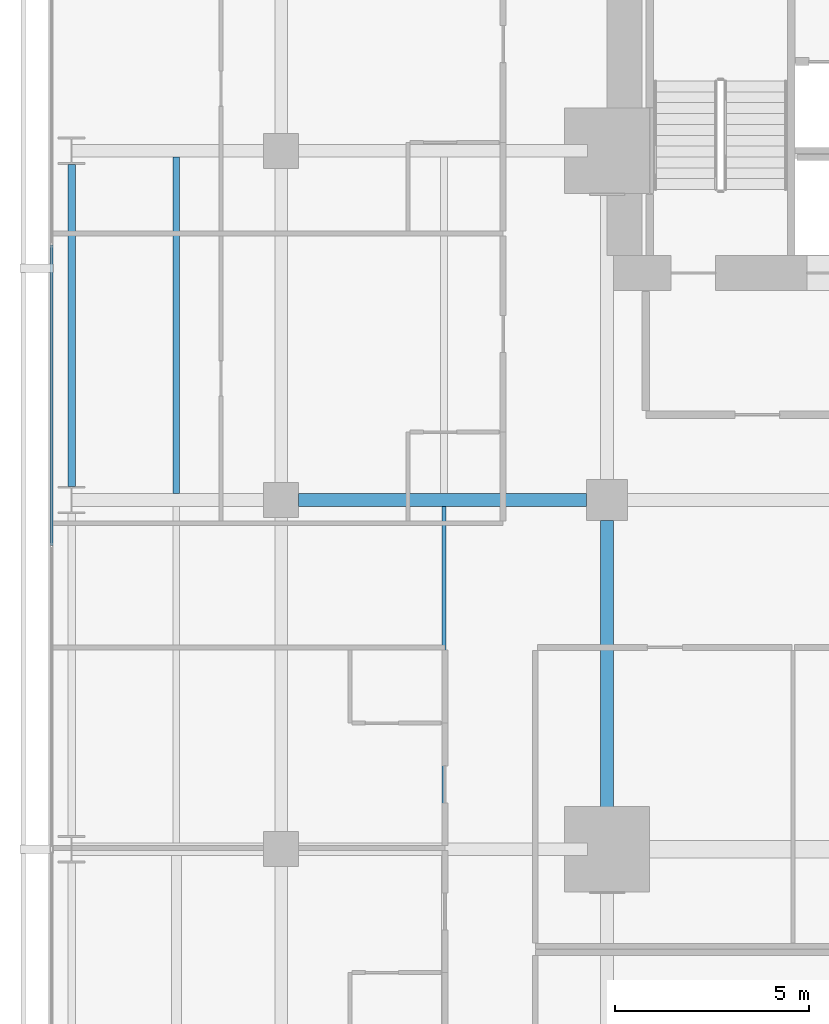
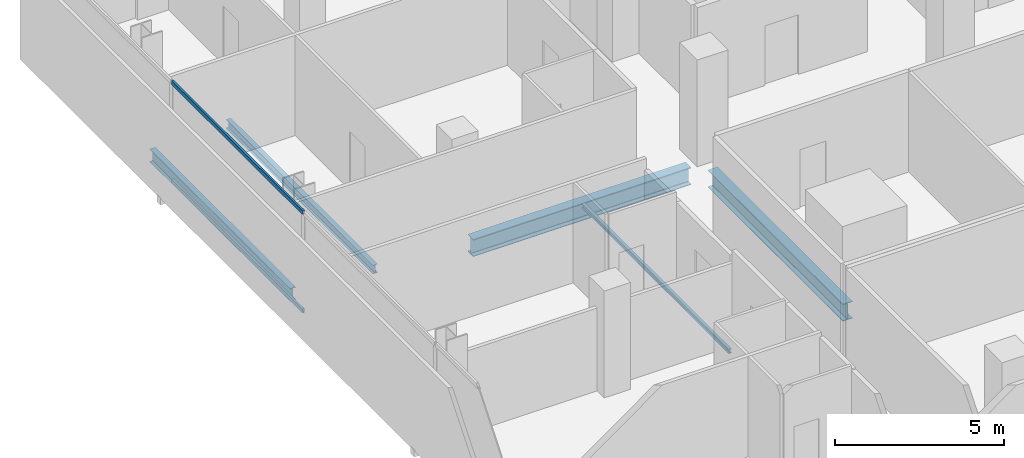
# One storey, part 22 of 40: 5 beams, 2 members, 1 element without a shape of its own.
"""IFC4 building model written with IfcOpenShell, lengths in metres."""

import ifcopenshell
import ifcopenshell.guid

model = None  # the IFC model being written
_history = None  # IfcOwnerHistory: only IFC2X3 demands one
_inside = {}  # id of a spatial element -> (the spatial element, [elements in it])
_under = {}  # id of a project, library or spatial element -> (it, [spatial elements below it])
_declared = {}  # id of a project -> (the project, [libraries it declares])
_typed = {}  # id of a type object -> (the type object, [elements of that type])
_made_of = {}  # id of a material, layer set ... -> (it, [elements and type objects made of it])


def new_model(schema):
    """Start an empty IFC model of exactly this schema.

    Asked for "IFC4X3", IfcOpenShell would pick the latest addendum, in which some entities
    have other attributes; the version numbers below select the first issue.
    IFC2X3 requires an IfcOwnerHistory on every rooted entity: one is made here for all.
    """
    global model, _history
    if schema == "IFC4X3":
        model = ifcopenshell.file(schema_version=(4, 3, 0, 0))
    else:
        model = ifcopenshell.file(schema=schema)
    _inside.clear()
    _under.clear()
    _declared.clear()
    _typed.clear()
    _made_of.clear()
    _history = None
    if model.schema == "IFC2X3":
        org = make("IfcOrganization", Name="unknown")
        user = make(
            "IfcPersonAndOrganization",
            ThePerson=make("IfcPerson", FamilyName="unknown"),
            TheOrganization=org,
        )
        app = make(
            "IfcApplication",
            ApplicationDeveloper=org,
            Version="unknown",
            ApplicationFullName="unknown",
            ApplicationIdentifier="unknown",
        )
        _history = make(
            "IfcOwnerHistory",
            OwningUser=user,
            OwningApplication=app,
            ChangeAction="ADDED",
            CreationDate=0,
        )
    return model


def make(cls, **values):
    """One entity of the class cls with the attributes given. An attribute that is None is left unset."""
    return model.create_entity(
        cls, **{name: value for name, value in values.items() if value is not None}
    )


def rooted(cls, **values):
    """An entity with a GlobalId (a new one), such as an element, a storey or a relation."""
    return make(cls, GlobalId=ifcopenshell.guid.new(), OwnerHistory=_history, **values)


def si_unit(unit_type, name, prefix=None):
    """IfcSIUnit, for example si_unit("LENGTHUNIT", "METRE", prefix="MILLI")."""
    return make("IfcSIUnit", UnitType=unit_type, Prefix=prefix, Name=name)


def assignment(units):
    """IfcUnitAssignment: the units of a project."""
    return None if units is None else make("IfcUnitAssignment", Units=units)


def point(xyz):
    """IfcCartesianPoint."""
    return None if xyz is None else make("IfcCartesianPoint", Coordinates=xyz)


def direction(xyz):
    """IfcDirection."""
    return None if xyz is None else make("IfcDirection", DirectionRatios=xyz)


def frame(location, z_axis=None, x_axis=None):
    """IfcAxis2Placement3D, a coordinate frame: its origin and axes. An axis left out is left unset."""
    return make(
        "IfcAxis2Placement3D",
        Location=point(location),
        Axis=direction(z_axis),
        RefDirection=direction(x_axis),
    )


def frame_2d(location, x_axis=None):
    """IfcAxis2Placement2D, a coordinate frame in the plane: its origin and x axis."""
    return make(
        "IfcAxis2Placement2D", Location=point(location), RefDirection=direction(x_axis)
    )


def origin():
    """The frame at (0, 0, 0) with its axes left unset."""
    return frame((0.0, 0.0, 0.0))


def origin_2d():
    """The frame at (0, 0) in the plane with its x axis left unset."""
    return frame_2d((0.0, 0.0))


def place(relative_to, where):
    """IfcLocalPlacement: puts the frame where relative to a parent placement (None: the world)."""
    return make(
        "IfcLocalPlacement", PlacementRelTo=relative_to, RelativePlacement=where
    )


def context(
    kind, dimensions, precision=None, world=None, true_north=None, identifier=None
):
    """IfcGeometricRepresentationContext, for example the 3D "Model" context."""
    return make(
        "IfcGeometricRepresentationContext",
        ContextIdentifier=identifier,
        ContextType=kind,
        CoordinateSpaceDimension=dimensions,
        Precision=precision,
        WorldCoordinateSystem=world,
        TrueNorth=true_north,
    )


def subcontext(parent, identifier, kind, view, scale=None):
    """IfcGeometricRepresentationSubContext, for example "Body" below "Model"."""
    return make(
        "IfcGeometricRepresentationSubContext",
        ContextIdentifier=identifier,
        ContextType=kind,
        ParentContext=parent,
        TargetScale=scale,
        TargetView=view,
    )


def project(units=None, contexts=None):
    """IfcProject with its units and contexts."""
    return rooted(
        "IfcProject",
        Name="project",
        RepresentationContexts=contexts,
        UnitsInContext=assignment(units),
    )


def spatial(cls, under=None, at=None, **own):
    """A site, building, storey or space (cls), placed at a placement, below another one or the project."""
    s = rooted(cls, ObjectPlacement=at, **own)
    if under is not None:
        _under.setdefault(under.id(), (under, []))[1].append(s)
    return s


def profile(cls, at=None, kind="AREA", **sizes):
    """A parametric profile (cls). Its sizes go by their IFC names, for example OverallWidth=200.0."""
    return make(cls, ProfileType=kind, Position=at, **sizes)


def hollow_rectangle(**sizes):
    """IfcRectangleHollowProfileDef."""
    return profile("IfcRectangleHollowProfileDef", **sizes)


def i_section(**sizes):
    """IfcIShapeProfileDef."""
    return profile("IfcIShapeProfileDef", **sizes)


def extrude(swept, where, along, depth):
    """IfcExtrudedAreaSolid: the profile swept, set in the frame where, extruded along a direction by depth."""
    return make(
        "IfcExtrudedAreaSolid",
        SweptArea=swept,
        Position=where,
        ExtrudedDirection=direction(along),
        Depth=depth,
    )


def shape(context_of_items, identifier, shape_type, items):
    """IfcShapeRepresentation: the items that make up one representation, for example the "Body"."""
    return make(
        "IfcShapeRepresentation",
        ContextOfItems=context_of_items,
        RepresentationIdentifier=identifier,
        RepresentationType=shape_type,
        Items=items,
    )


def material(Name=None, Category=None):
    """IfcMaterial."""
    return make("IfcMaterial", Name=Name, Category=Category)


def layer(
    of_material, thickness, ventilated=None, Name=None, Category=None, Priority=None
):
    """IfcMaterialLayer: one layer of a wall or slab, of a material (None: an air gap)."""
    return make(
        "IfcMaterialLayer",
        Material=of_material,
        LayerThickness=thickness,
        IsVentilated=ventilated,
        Name=Name,
        Category=Category,
        Priority=Priority,
    )


def layer_set(layers, Name=None):
    """IfcMaterialLayerSet."""
    return make("IfcMaterialLayerSet", MaterialLayers=layers, LayerSetName=Name)


def material_profile(
    of_material, cross_section, Name=None, Category=None, Priority=None
):
    """IfcMaterialProfile: a cross section and its material."""
    return make(
        "IfcMaterialProfile",
        Name=Name,
        Material=of_material,
        Profile=cross_section,
        Priority=Priority,
        Category=Category,
    )


def profile_set(profiles, Name=None, composite=None):
    """IfcMaterialProfileSet."""
    return make(
        "IfcMaterialProfileSet",
        Name=Name,
        MaterialProfiles=profiles,
        CompositeProfile=composite,
    )


def made_of(thing, what):
    """Note that an element or type object is made of a material, layer set ...; save() writes the relation."""
    if what is not None:
        _made_of.setdefault(what.id(), (what, []))[1].append(thing)
    return thing


def type_object(cls, material=None, **own):
    """A type object (cls), such as IfcWallType, which elements share."""
    return made_of(rooted(cls, **own), material)


def element(
    cls,
    number,
    at=None,
    inside=None,
    cuts=None,
    type_object=None,
    material=None,
    context=None,
    identifier="Body",
    shape_type=None,
    held_by="IfcProductDefinitionShape",
    body=None,
    shapes=None,
    **own,
):
    """One element of the class cls, such as IfcWall. Its Tag is "e" and its number.

    at: its placement. inside: the storey or other place that contains it. cuts: it is an
    opening in that element (IfcRelVoidsElement). A single representation is given by context,
    identifier, shape_type and body (its items); several are given by shapes. held_by: the class
    of the entity that holds the representations. save() writes the other relations.
    """
    e = rooted(cls, Tag="e%d" % number, ObjectPlacement=at, **own)
    if body is not None:
        shapes = [shape(context, identifier, shape_type, body)]
    if shapes is not None:
        e.Representation = make(held_by, Representations=shapes)
    if inside is not None:
        _inside.setdefault(inside.id(), (inside, []))[1].append(e)
    if cuts is not None:
        rooted(
            "IfcRelVoidsElement", RelatingBuildingElement=cuts, RelatedOpeningElement=e
        )
    if type_object is not None:
        _typed.setdefault(type_object.id(), (type_object, []))[1].append(e)
    return made_of(e, material)


def aggregate(whole, parts):
    """IfcRelAggregates: a whole, such as a stair, and the parts it consists of."""
    return rooted("IfcRelAggregates", RelatingObject=whole, RelatedObjects=parts)


def save(model, path):
    """Write the relations noted so far, then the file.

    IfcRelAggregates (storeys below a building ...), IfcRelContainedInSpatialStructure (elements
    in a storey), IfcRelDefinesByType, IfcRelAssociatesMaterial and IfcRelDeclares: one each for
    every whole, place, type object, material and project.
    """
    for whole, parts in _under.values():
        aggregate(whole, parts)
    for where, things in _inside.values():
        rooted(
            "IfcRelContainedInSpatialStructure",
            RelatedElements=things,
            RelatingStructure=where,
        )
    for kind, things in _typed.values():
        rooted("IfcRelDefinesByType", RelatedObjects=things, RelatingType=kind)
    for what, things in _made_of.values():
        rooted("IfcRelAssociatesMaterial", RelatedObjects=things, RelatingMaterial=what)
    for by, libraries in _declared.values():
        rooted("IfcRelDeclares", RelatingContext=by, RelatedDefinitions=libraries)
    model.write(path)


model = new_model("IFC4")

# Units and contexts
model_context = context("Model", 3, precision=1e-05, world=origin(), true_north=direction((0.0, 1.0)))
body_context = subcontext(model_context, "Body", "Model", "MODEL_VIEW")
ifc_project = project(units=[si_unit("LENGTHUNIT", "METRE"), si_unit("AREAUNIT", "SQUARE_METRE"), si_unit("VOLUMEUNIT", "CUBIC_METRE"), si_unit("PLANEANGLEUNIT", "RADIAN"), si_unit("MASSUNIT", "GRAM", prefix="KILO")], contexts=[model_context])

# Site, building, storey
site_placement = place(None, origin())
site = spatial("IfcSite", under=ifc_project, at=site_placement, CompositionType="ELEMENT")
building_placement = place(site_placement, origin())
building = spatial("IfcBuilding", under=site, at=building_placement, Name="Maruvema Waterfront Hotel and Observation Tower", CompositionType="ELEMENT")
storey_placement = place(building_placement, frame((0.0, 0.0, 50.050048828125)))
storey = spatial("IfcBuildingStorey", under=building, at=storey_placement, Name="L11", CompositionType="ELEMENT", Elevation=50.050048828125)

# Curtain wall, members
ifc_material_1 = material(Name="Anodised bronze aluminium and solar-control low-E IGU", Category="aluminium")
ifc_layer = layer(ifc_material_1, 0.159912109375, Name="Zone 1 Bronze Inner Thermal Curtain Wall System CW-02")
ifc_layer_set = layer_set([ifc_layer], Name="Anodised bronze aluminium and solar-control low-E IGU")
curtain_wall_type = type_object("IfcCurtainWallType", Name="Zone 1 Bronze Inner Thermal Curtain Wall System CW-02", PredefinedType="USERDEFINED", material=ifc_layer_set)
curtain_wall_placement = place(storey_placement, origin())
curtain_wall = element("IfcCurtainWall", 1, at=curtain_wall_placement, inside=storey, type_object=curtain_wall_type, Name="L11 Curtain Wall CW-L11-W", ObjectType="UNITISED CURTAIN WALL", PredefinedType="USERDEFINED")
ifc_material_2 = material(Name="Anodised architectural bronze aluminium", Category="aluminium")
ifc_material_profile_1 = material_profile(ifc_material_2, hollow_rectangle(XDim=0.070068359375, YDim=0.14990234375, WallThickness=0.00390625, at=origin_2d()), Name="ALU-T70x150")
ifc_profile_set_1 = profile_set([ifc_material_profile_1], Name="Anodised architectural bronze aluminium")
member_type = type_object("IfcMemberType", Name="Curtain Wall Horizontal Transom ALU-T70x150", PredefinedType="USERDEFINED", material=ifc_profile_set_1)
member_1_placement = place(storey_placement, frame((10.8798828125, 42.570068359375, 0.030029296875), z_axis=(0.0, -1.0, 0.0), x_axis=(1.0, 0.0, 0.0)))
member_1 = element("IfcMember", 2, at=member_1_placement, type_object=member_type, Name="CW-02 transom 2.1", ObjectType="TRANSOM", PredefinedType="USERDEFINED", context=body_context, shape_type="SweptSolid", body=[
    extrude(hollow_rectangle(XDim=0.070068359375, YDim=0.14990234375, WallThickness=0.00390625, at=origin_2d()), origin(), (0.0, 0.0, 1.0), 7.739990234375),
])
member_2_placement = place(storey_placement, frame((10.8798828125, 42.570068359375, 3.579833984375), z_axis=(0.0, -1.0, 0.0), x_axis=(1.0, 0.0, 0.0)))
member_2 = element("IfcMember", 3, at=member_2_placement, type_object=member_type, Name="CW-02 transom 2.2", ObjectType="TRANSOM", PredefinedType="USERDEFINED", context=body_context, shape_type="SweptSolid", body=[
    extrude(hollow_rectangle(XDim=0.070068359375, YDim=0.14990234375, WallThickness=0.00390625, at=origin_2d()), origin(), (0.0, 0.0, 1.0), 7.739990234375),
])
aggregate(curtain_wall, [member_1, member_2])

# Beams
ifc_material_3 = material(Name="Steel ASTM A572 Grade 50", Category="steel")
ifc_material_profile_2 = material_profile(ifc_material_3, i_section(OverallWidth=0.18994140625, OverallDepth=0.45703125, WebThickness=0.009033203125, FlangeThickness=0.014404296875, FilletRadius=0.014892578125, at=origin_2d()), Name="W460x74.0")
ifc_profile_set_2 = profile_set([ifc_material_profile_2], Name="Steel ASTM A572 Grade 50")
beam_type_1 = type_object("IfcBeamType", Name="Perimeter Spandrel Beam W460x74.0", PredefinedType="SPANDREL", material=ifc_profile_set_2)
beam_1_placement = place(storey_placement, frame((11.39990234375, 36.35009765625, -0.468505859375), z_axis=(0.0, 1.0, 0.0), x_axis=(-1.0, 0.0, 0.0)))
element("IfcBeam", 4, at=beam_1_placement, inside=storey, type_object=beam_type_1, Name="L11 Floor Girder NS-04", PredefinedType="SPANDREL", context=body_context, shape_type="SweptSolid", body=[
    extrude(i_section(OverallWidth=0.18994140625, OverallDepth=0.45703125, WebThickness=0.009033203125, FlangeThickness=0.014404296875, FilletRadius=0.014892578125, at=origin_2d()), origin(), (0.0, 0.0, 1.0), 8.2998046875),
])
ifc_material_4 = material(Name="Steel ASTM A572 Grade 50", Category="steel")
ifc_material_profile_3 = material_profile(ifc_material_4, i_section(OverallWidth=0.326904296875, OverallDepth=0.6220703125, WebThickness=0.015380859375, FlangeThickness=0.0244140625, FilletRadius=0.01806640625, at=origin_2d()), Name="W610x195.0")
ifc_profile_set_3 = profile_set([ifc_material_profile_3], Name="Steel ASTM A572 Grade 50")
beam_type_2 = type_object("IfcBeamType", Name="Primary Floor Girder W610x195.0", PredefinedType="BEAM", material=ifc_profile_set_3)
beam_2_placement = place(storey_placement, frame((17.25, 36.0, -0.551025390625), z_axis=(1.0, 0.0, 0.0), x_axis=(0.0, 1.0, 0.0)))
element("IfcBeam", 5, at=beam_2_placement, inside=storey, type_object=beam_type_2, Name="L11 Floor Girder EW-26", PredefinedType="BEAM", context=body_context, shape_type="SweptSolid", body=[
    extrude(i_section(OverallWidth=0.326904296875, OverallDepth=0.6220703125, WebThickness=0.015380859375, FlangeThickness=0.0244140625, FilletRadius=0.01806640625, at=origin_2d()), origin(), (0.0, 0.0, 1.0), 7.425048828125),
])
beam_3_placement = place(storey_placement, frame((25.199951171875, 27.5, -0.551025390625), z_axis=(0.0, 1.0, 0.0), x_axis=(-1.0, 0.0, 0.0)))
element("IfcBeam", 6, at=beam_3_placement, inside=storey, type_object=beam_type_2, Name="L11 Floor Girder NS-14", PredefinedType="BEAM", context=body_context, shape_type="SweptSolid", body=[
    extrude(i_section(OverallWidth=0.326904296875, OverallDepth=0.6220703125, WebThickness=0.015380859375, FlangeThickness=0.0244140625, FilletRadius=0.01806640625, at=origin_2d()), origin(), (0.0, 0.0, 1.0), 7.97509765625),
])
ifc_material_5 = material(Name="Steel ASTM A572 Grade 50", Category="steel")
ifc_material_profile_4 = material_profile(ifc_material_5, i_section(OverallWidth=0.10009765625, OverallDepth=0.153076171875, WebThickness=0.005859375, FlangeThickness=0.007080078125, FilletRadius=0.008056640625, at=origin_2d()), Name="W150x18.0")
ifc_profile_set_4 = profile_set([ifc_material_profile_4], Name="Steel ASTM A572 Grade 50")
beam_type_3 = type_object("IfcBeamType", Name="Secondary Floor Joist W150x18.0", PredefinedType="JOIST", material=ifc_profile_set_4)
beam_4_placement = place(storey_placement, frame((21.0, 27.16357421875, -0.316650390625), z_axis=(0.0, 1.0, 0.0), x_axis=(-1.0, 0.0, 0.0)))
element("IfcBeam", 7, at=beam_4_placement, inside=storey, type_object=beam_type_3, Name="L11 Secondary Floor Joist JS-08", PredefinedType="JOIST", context=body_context, shape_type="SweptSolid", body=[
    extrude(i_section(OverallWidth=0.10009765625, OverallDepth=0.153076171875, WebThickness=0.005859375, FlangeThickness=0.007080078125, FilletRadius=0.008056640625, at=origin_2d()), origin(), (0.0, 0.0, 1.0), 8.6728515625),
])
ifc_material_6 = material(Name="Steel ASTM A572 Grade 50", Category="steel")
ifc_material_profile_5 = material_profile(ifc_material_6, i_section(OverallWidth=0.1650390625, OverallDepth=0.31005859375, WebThickness=0.005859375, FlangeThickness=0.009765625, FilletRadius=0.012939453125, at=origin_2d()), Name="W310x38.7")
ifc_profile_set_5 = profile_set([ifc_material_profile_5], Name="Steel ASTM A572 Grade 50")
beam_type_4 = type_object("IfcBeamType", Name="Secondary Floor Joist W310x38.7", PredefinedType="JOIST", material=ifc_profile_set_5)
beam_5_placement = place(storey_placement, frame((14.10009765625, 36.16357421875, -0.39501953125), z_axis=(0.0, 1.0, 0.0), x_axis=(-1.0, 0.0, 0.0)))
element("IfcBeam", 8, at=beam_5_placement, inside=storey, type_object=beam_type_4, Name="L11 Secondary Floor Joist JS-04", PredefinedType="JOIST", context=body_context, shape_type="SweptSolid", body=[
    extrude(i_section(OverallWidth=0.1650390625, OverallDepth=0.31005859375, WebThickness=0.005859375, FlangeThickness=0.009765625, FilletRadius=0.012939453125, at=origin_2d()), origin(), (0.0, 0.0, 1.0), 8.6728515625),
])

save(model, "model.ifc")
